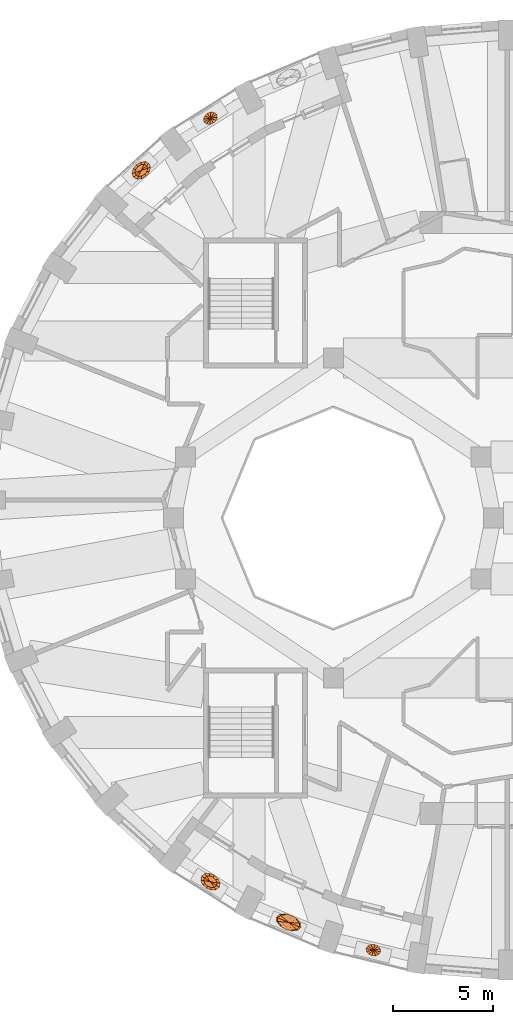
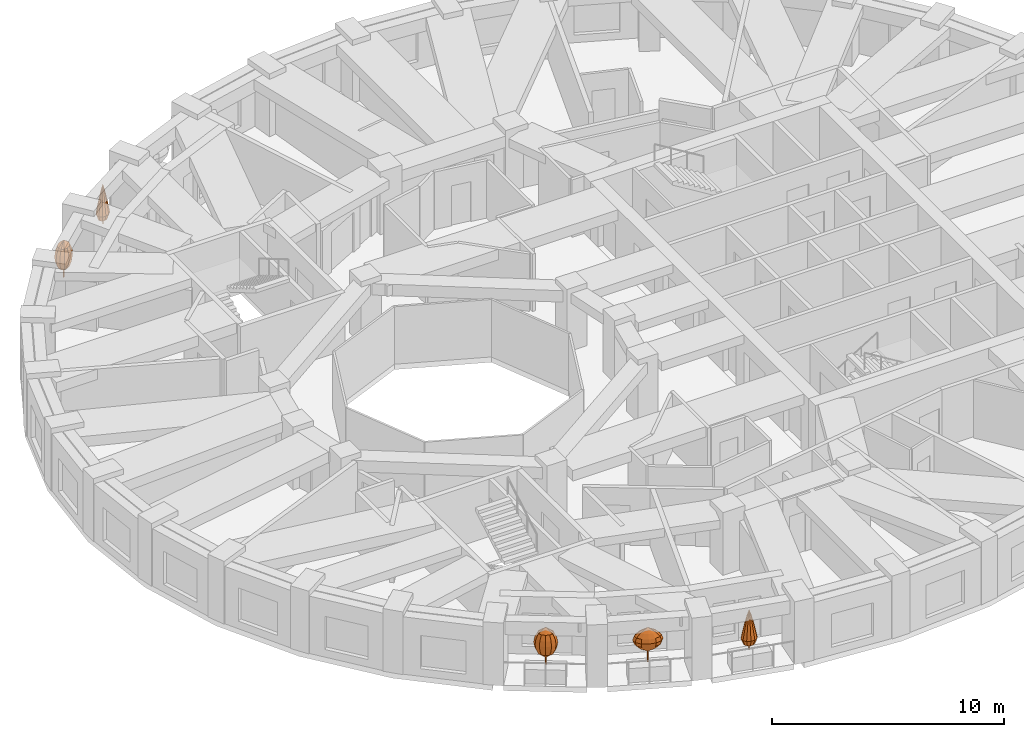
# One storey, part 11 of 12: 5 geographic elements.
"""IFC4 building model written with IfcOpenShell, lengths in metres."""

import ifcopenshell
import ifcopenshell.guid

model = None  # the IFC model being written
_history = None  # IfcOwnerHistory: only IFC2X3 demands one
_inside = {}  # id of a spatial element -> (the spatial element, [elements in it])
_under = {}  # id of a project, library or spatial element -> (it, [spatial elements below it])
_declared = {}  # id of a project -> (the project, [libraries it declares])
_typed = {}  # id of a type object -> (the type object, [elements of that type])
_made_of = {}  # id of a material, layer set ... -> (it, [elements and type objects made of it])


def new_model(schema):
    """Start an empty IFC model of exactly this schema.

    Asked for "IFC4X3", IfcOpenShell would pick the latest addendum, in which some entities
    have other attributes; the version numbers below select the first issue.
    IFC2X3 requires an IfcOwnerHistory on every rooted entity: one is made here for all.
    """
    global model, _history
    if schema == "IFC4X3":
        model = ifcopenshell.file(schema_version=(4, 3, 0, 0))
    else:
        model = ifcopenshell.file(schema=schema)
    _inside.clear()
    _under.clear()
    _declared.clear()
    _typed.clear()
    _made_of.clear()
    _history = None
    if model.schema == "IFC2X3":
        org = make("IfcOrganization", Name="unknown")
        user = make(
            "IfcPersonAndOrganization",
            ThePerson=make("IfcPerson", FamilyName="unknown"),
            TheOrganization=org,
        )
        app = make(
            "IfcApplication",
            ApplicationDeveloper=org,
            Version="unknown",
            ApplicationFullName="unknown",
            ApplicationIdentifier="unknown",
        )
        _history = make(
            "IfcOwnerHistory",
            OwningUser=user,
            OwningApplication=app,
            ChangeAction="ADDED",
            CreationDate=0,
        )
    return model


def make(cls, **values):
    """One entity of the class cls with the attributes given. An attribute that is None is left unset."""
    return model.create_entity(
        cls, **{name: value for name, value in values.items() if value is not None}
    )


def rooted(cls, **values):
    """An entity with a GlobalId (a new one), such as an element, a storey or a relation."""
    return make(cls, GlobalId=ifcopenshell.guid.new(), OwnerHistory=_history, **values)


def si_unit(unit_type, name, prefix=None):
    """IfcSIUnit, for example si_unit("LENGTHUNIT", "METRE", prefix="MILLI")."""
    return make("IfcSIUnit", UnitType=unit_type, Prefix=prefix, Name=name)


def assignment(units):
    """IfcUnitAssignment: the units of a project."""
    return None if units is None else make("IfcUnitAssignment", Units=units)


def point(xyz):
    """IfcCartesianPoint."""
    return None if xyz is None else make("IfcCartesianPoint", Coordinates=xyz)


def direction(xyz):
    """IfcDirection."""
    return None if xyz is None else make("IfcDirection", DirectionRatios=xyz)


def frame(location, z_axis=None, x_axis=None):
    """IfcAxis2Placement3D, a coordinate frame: its origin and axes. An axis left out is left unset."""
    return make(
        "IfcAxis2Placement3D",
        Location=point(location),
        Axis=direction(z_axis),
        RefDirection=direction(x_axis),
    )


def origin():
    """The frame at (0, 0, 0) with its axes left unset."""
    return frame((0.0, 0.0, 0.0))


def place(relative_to, where):
    """IfcLocalPlacement: puts the frame where relative to a parent placement (None: the world)."""
    return make(
        "IfcLocalPlacement", PlacementRelTo=relative_to, RelativePlacement=where
    )


def context(
    kind, dimensions, precision=None, world=None, true_north=None, identifier=None
):
    """IfcGeometricRepresentationContext, for example the 3D "Model" context."""
    return make(
        "IfcGeometricRepresentationContext",
        ContextIdentifier=identifier,
        ContextType=kind,
        CoordinateSpaceDimension=dimensions,
        Precision=precision,
        WorldCoordinateSystem=world,
        TrueNorth=true_north,
    )


def subcontext(parent, identifier, kind, view, scale=None):
    """IfcGeometricRepresentationSubContext, for example "Body" below "Model"."""
    return make(
        "IfcGeometricRepresentationSubContext",
        ContextIdentifier=identifier,
        ContextType=kind,
        ParentContext=parent,
        TargetScale=scale,
        TargetView=view,
    )


def project(units=None, contexts=None):
    """IfcProject with its units and contexts."""
    return rooted(
        "IfcProject",
        Name="project",
        RepresentationContexts=contexts,
        UnitsInContext=assignment(units),
    )


def spatial(cls, under=None, at=None, **own):
    """A site, building, storey or space (cls), placed at a placement, below another one or the project."""
    s = rooted(cls, ObjectPlacement=at, **own)
    if under is not None:
        _under.setdefault(under.id(), (under, []))[1].append(s)
    return s


def faces_of(points, faces, orient=None, outer=None):
    """IfcFace entities. A face is a list of loops; a loop is a list of indices into points, from 0.

    orient and outer hold one flag for each loop. By default every Orientation is true, the
    first loop of a face is its IfcFaceOuterBound and the others are IfcFaceBound.
    """
    made = []
    for i, loops in enumerate(faces):
        bounds = []
        for j, loop in enumerate(loops):
            is_outer = j == 0 if outer is None else outer[i][j]
            bounds.append(
                make(
                    "IfcFaceOuterBound" if is_outer else "IfcFaceBound",
                    Bound=make("IfcPolyLoop", Polygon=[points[k] for k in loop]),
                    Orientation=True if orient is None else orient[i][j],
                )
            )
        made.append(make("IfcFace", Bounds=bounds))
    return made


def faceted_brep(points, faces, orient=None, outer=None, voids=None):
    """IfcFacetedBrep: a solid bounded by flat faces; with voids (closed shells), ...WithVoids."""
    shared = [point(p) for p in points]
    hull = make("IfcClosedShell", CfsFaces=faces_of(shared, faces, orient, outer))
    if voids is None:
        return make("IfcFacetedBrep", Outer=hull)
    return make(
        "IfcFacetedBrepWithVoids",
        Outer=hull,
        Voids=[
            make(cls, CfsFaces=faces_of(shared, fs, o, b)) for cls, fs, o, b in voids
        ],
    )


def shape(context_of_items, identifier, shape_type, items):
    """IfcShapeRepresentation: the items that make up one representation, for example the "Body"."""
    return make(
        "IfcShapeRepresentation",
        ContextOfItems=context_of_items,
        RepresentationIdentifier=identifier,
        RepresentationType=shape_type,
        Items=items,
    )


def material(Name=None, Category=None):
    """IfcMaterial."""
    return make("IfcMaterial", Name=Name, Category=Category)


def constituent(of_material, Name=None, Category=None, fraction=None):
    """IfcMaterialConstituent: one of the materials an element consists of."""
    return make(
        "IfcMaterialConstituent",
        Name=Name,
        Material=of_material,
        Fraction=fraction,
        Category=Category,
    )


def constituent_set(constituents=None, Name=None):
    """IfcMaterialConstituentSet."""
    return make(
        "IfcMaterialConstituentSet", Name=Name, MaterialConstituents=constituents
    )


def made_of(thing, what):
    """Note that an element or type object is made of a material, layer set ...; save() writes the relation."""
    if what is not None:
        _made_of.setdefault(what.id(), (what, []))[1].append(thing)
    return thing


def type_object(cls, material=None, **own):
    """A type object (cls), such as IfcWallType, which elements share."""
    return made_of(rooted(cls, **own), material)


def element(
    cls,
    number,
    at=None,
    inside=None,
    cuts=None,
    type_object=None,
    material=None,
    context=None,
    identifier="Body",
    shape_type=None,
    held_by="IfcProductDefinitionShape",
    body=None,
    shapes=None,
    **own,
):
    """One element of the class cls, such as IfcWall. Its Tag is "e" and its number.

    at: its placement. inside: the storey or other place that contains it. cuts: it is an
    opening in that element (IfcRelVoidsElement). A single representation is given by context,
    identifier, shape_type and body (its items); several are given by shapes. held_by: the class
    of the entity that holds the representations. save() writes the other relations.
    """
    e = rooted(cls, Tag="e%d" % number, ObjectPlacement=at, **own)
    if body is not None:
        shapes = [shape(context, identifier, shape_type, body)]
    if shapes is not None:
        e.Representation = make(held_by, Representations=shapes)
    if inside is not None:
        _inside.setdefault(inside.id(), (inside, []))[1].append(e)
    if cuts is not None:
        rooted(
            "IfcRelVoidsElement", RelatingBuildingElement=cuts, RelatedOpeningElement=e
        )
    if type_object is not None:
        _typed.setdefault(type_object.id(), (type_object, []))[1].append(e)
    return made_of(e, material)


def aggregate(whole, parts):
    """IfcRelAggregates: a whole, such as a stair, and the parts it consists of."""
    return rooted("IfcRelAggregates", RelatingObject=whole, RelatedObjects=parts)


def save(model, path):
    """Write the relations noted so far, then the file.

    IfcRelAggregates (storeys below a building ...), IfcRelContainedInSpatialStructure (elements
    in a storey), IfcRelDefinesByType, IfcRelAssociatesMaterial and IfcRelDeclares: one each for
    every whole, place, type object, material and project.
    """
    for whole, parts in _under.values():
        aggregate(whole, parts)
    for where, things in _inside.values():
        rooted(
            "IfcRelContainedInSpatialStructure",
            RelatedElements=things,
            RelatingStructure=where,
        )
    for kind, things in _typed.values():
        rooted("IfcRelDefinesByType", RelatedObjects=things, RelatingType=kind)
    for what, things in _made_of.values():
        rooted("IfcRelAssociatesMaterial", RelatedObjects=things, RelatingMaterial=what)
    for by, libraries in _declared.values():
        rooted("IfcRelDeclares", RelatingContext=by, RelatedDefinitions=libraries)
    model.write(path)


model = new_model("IFC4")

# Units and contexts
model_context = context("Model", 3, precision=1e-05, world=origin(), true_north=direction((0.0, 1.0)))
body_context = subcontext(model_context, "Body", "Model", "MODEL_VIEW")
ifc_project = project(units=[si_unit("LENGTHUNIT", "METRE"), si_unit("AREAUNIT", "SQUARE_METRE"), si_unit("VOLUMEUNIT", "CUBIC_METRE"), si_unit("PLANEANGLEUNIT", "RADIAN"), si_unit("MASSUNIT", "GRAM", prefix="KILO")], contexts=[model_context])

# Site, building, storey
site_placement = place(None, origin())
site = spatial("IfcSite", under=ifc_project, at=site_placement, CompositionType="ELEMENT")
building_placement = place(site_placement, origin())
building = spatial("IfcBuilding", under=site, at=building_placement, Name="Taillehof Tower", CompositionType="ELEMENT")
storey_placement = place(building_placement, frame((0.0, 0.0, 212.300048828125)))
storey = spatial("IfcBuildingStorey", under=building, at=storey_placement, Name="L60", CompositionType="ELEMENT", Elevation=212.300048828125)

# Geographic elements
ifc_material_1 = material(Name="Tree bark", Category="timber")
ifc_constituent_1 = constituent(ifc_material_1, Name="Trunk", Category="timber")
ifc_material_2 = material(Name="Tree foliage")
ifc_constituent_2 = constituent(ifc_material_2, Name="Crown")
ifc_constituent_set_1 = constituent_set(constituents=[ifc_constituent_1, ifc_constituent_2], Name="Tree TR2 Fastigiate yew")
geographic_element_type_1 = type_object("IfcGeographicElementType", Name="Tree TR2 Fastigiate yew", PredefinedType="USERDEFINED", material=ifc_constituent_set_1)
geographic_element_1_placement = place(storey_placement, frame((-14.14501953125, -18.188232421875, 0.75)))
element("IfcGeographicElement", 1, at=geographic_element_1_placement, inside=storey, type_object=geographic_element_type_1, Name="Tree TR2 Fastigiate yew", ObjectType="TREE", PredefinedType="USERDEFINED", context=body_context, shape_type="Brep", body=[
    faceted_brep([(0.034912109375, 0.0, 0.0), (0.024658203125, 0.024658203125, 0.0), (0.024658203125, 0.024658203125, 0.909912109375), (0.034912109375, 0.0, 0.909912109375), (0.0, 0.034912109375, 0.0), (0.0, 0.034912109375, 0.909912109375), (-0.024658203125, 0.024658203125, 0.0), (-0.024658203125, 0.024658203125, 0.909912109375), (-0.034912109375, 0.0, 0.0), (-0.034912109375, 0.0, 0.909912109375), (-0.024658203125, -0.024658203125, 0.0), (-0.024658203125, -0.024658203125, 0.909912109375), (0.0, -0.034912109375, 0.0), (0.0, -0.034912109375, 0.909912109375), (0.024658203125, -0.024658203125, 0.0), (0.024658203125, -0.024658203125, 0.909912109375)], [[[0, 1, 2, 3]], [[1, 4, 5, 2]], [[4, 6, 7, 5]], [[6, 8, 9, 7]], [[8, 10, 11, 9]], [[10, 12, 13, 11]], [[12, 14, 15, 13]], [[14, 0, 3, 15]], [[14, 12, 10, 8, 6, 4, 1, 0]], [[3, 2, 5, 7, 9, 11, 13, 15]]]),
    faceted_brep([(0.0, 0.0, 0.35009765625), (0.33056640625, -0.054931640625, 0.61669921875), (0.302001953125, -0.190185546875, 0.61669921875), (0.270751953125, 0.09521484375, 0.61669921875), (0.138427734375, 0.2197265625, 0.61669921875), (-0.03125, 0.285400390625, 0.61669921875), (-0.1923828125, 0.2744140625, 0.61669921875), (-0.302001953125, 0.190185546875, 0.61669921875), (-0.33056640625, 0.054931640625, 0.61669921875), (-0.270751953125, -0.09521484375, 0.61669921875), (-0.138427734375, -0.2197265625, 0.61669921875), (0.03125, -0.285400390625, 0.61669921875), (0.1923828125, -0.2744140625, 0.61669921875), (0.447265625, -0.07421875, 0.88330078125), (0.408447265625, -0.25732421875, 0.88330078125), (0.3662109375, 0.128662109375, 0.88330078125), (0.18701171875, 0.297119140625, 0.88330078125), (-0.042236328125, 0.385986328125, 0.88330078125), (-0.26025390625, 0.371337890625, 0.88330078125), (-0.408447265625, 0.25732421875, 0.88330078125), (-0.447265625, 0.07421875, 0.88330078125), (-0.3662109375, -0.128662109375, 0.88330078125), (-0.18701171875, -0.297119140625, 0.88330078125), (0.042236328125, -0.385986328125, 0.88330078125), (0.26025390625, -0.371337890625, 0.88330078125), (0.484130859375, -0.080322265625, 1.14990234375), (0.442138671875, -0.278564453125, 1.14990234375), (0.396484375, 0.13916015625, 1.14990234375), (0.20263671875, 0.321533203125, 1.14990234375), (-0.045654296875, 0.417724609375, 1.14990234375), (-0.28173828125, 0.40185546875, 1.14990234375), (-0.442138671875, 0.278564453125, 1.14990234375), (-0.484130859375, 0.080322265625, 1.14990234375), (-0.396484375, -0.13916015625, 1.14990234375), (-0.20263671875, -0.321533203125, 1.14990234375), (0.045654296875, -0.417724609375, 1.14990234375), (0.28173828125, -0.40185546875, 1.14990234375), (0.447265625, -0.07421875, 1.416748046875), (0.408447265625, -0.25732421875, 1.416748046875), (0.3662109375, 0.128662109375, 1.416748046875), (0.18701171875, 0.297119140625, 1.416748046875), (-0.042236328125, 0.385986328125, 1.416748046875), (-0.26025390625, 0.371337890625, 1.416748046875), (-0.408447265625, 0.25732421875, 1.416748046875), (-0.447265625, 0.07421875, 1.416748046875), (-0.3662109375, -0.128662109375, 1.416748046875), (-0.18701171875, -0.297119140625, 1.416748046875), (0.042236328125, -0.385986328125, 1.416748046875), (0.26025390625, -0.371337890625, 1.416748046875), (0.33056640625, -0.054931640625, 1.683349609375), (0.302001953125, -0.190185546875, 1.683349609375), (0.270751953125, 0.09521484375, 1.683349609375), (0.138427734375, 0.2197265625, 1.683349609375), (-0.03125, 0.285400390625, 1.683349609375), (-0.1923828125, 0.2744140625, 1.683349609375), (-0.302001953125, 0.190185546875, 1.683349609375), (-0.33056640625, 0.054931640625, 1.683349609375), (-0.270751953125, -0.09521484375, 1.683349609375), (-0.138427734375, -0.2197265625, 1.683349609375), (0.03125, -0.285400390625, 1.683349609375), (0.1923828125, -0.2744140625, 1.683349609375), (0.0, 0.0, 1.949951171875)], [[[0, 1, 2]], [[0, 3, 1]], [[0, 4, 3]], [[0, 5, 4]], [[0, 6, 5]], [[0, 7, 6]], [[0, 8, 7]], [[0, 9, 8]], [[0, 10, 9]], [[0, 11, 10]], [[0, 12, 11]], [[0, 2, 12]], [[2, 1, 13, 14]], [[1, 3, 15, 13]], [[3, 4, 16, 15]], [[4, 5, 17, 16]], [[5, 6, 18, 17]], [[6, 7, 19, 18]], [[7, 8, 20, 19]], [[8, 9, 21, 20]], [[9, 10, 22, 21]], [[10, 11, 23, 22]], [[11, 12, 24, 23]], [[12, 2, 14, 24]], [[14, 13, 25, 26]], [[13, 15, 27, 25]], [[15, 16, 28, 27]], [[16, 17, 29, 28]], [[17, 18, 30, 29]], [[18, 19, 31, 30]], [[19, 20, 32, 31]], [[20, 21, 33, 32]], [[21, 22, 34, 33]], [[22, 23, 35, 34]], [[23, 24, 36, 35]], [[24, 14, 26, 36]], [[26, 25, 37, 38]], [[25, 27, 39, 37]], [[27, 28, 40, 39]], [[28, 29, 41, 40]], [[29, 30, 42, 41]], [[30, 31, 43, 42]], [[31, 32, 44, 43]], [[32, 33, 45, 44]], [[33, 34, 46, 45]], [[34, 35, 47, 46]], [[35, 36, 48, 47]], [[36, 26, 38, 48]], [[38, 37, 49, 50]], [[37, 39, 51, 49]], [[39, 40, 52, 51]], [[40, 41, 53, 52]], [[41, 42, 54, 53]], [[42, 43, 55, 54]], [[43, 44, 56, 55]], [[44, 45, 57, 56]], [[45, 46, 58, 57]], [[46, 47, 59, 58]], [[47, 48, 60, 59]], [[48, 38, 50, 60]], [[50, 49, 61]], [[49, 51, 61]], [[51, 52, 61]], [[52, 53, 61]], [[53, 54, 61]], [[54, 55, 61]], [[55, 56, 61]], [[56, 57, 61]], [[57, 58, 61]], [[58, 59, 61]], [[59, 60, 61]], [[60, 50, 61]]]),
])
geographic_element_2_placement = place(storey_placement, frame((-17.60205078125, 17.378662109375, 0.75)))
element("IfcGeographicElement", 2, at=geographic_element_2_placement, inside=storey, type_object=geographic_element_type_1, Name="Tree TR2 Fastigiate yew", ObjectType="TREE", PredefinedType="USERDEFINED", context=body_context, shape_type="Brep", body=[
    faceted_brep([(0.034912109375, 0.0, 0.0), (0.024658203125, 0.024658203125, 0.0), (0.024658203125, 0.024658203125, 0.909912109375), (0.034912109375, 0.0, 0.909912109375), (0.0, 0.034912109375, 0.0), (0.0, 0.034912109375, 0.909912109375), (-0.024658203125, 0.024658203125, 0.0), (-0.024658203125, 0.024658203125, 0.909912109375), (-0.034912109375, 0.0, 0.0), (-0.034912109375, 0.0, 0.909912109375), (-0.024658203125, -0.024658203125, 0.0), (-0.024658203125, -0.024658203125, 0.909912109375), (0.0, -0.034912109375, 0.0), (0.0, -0.034912109375, 0.909912109375), (0.024658203125, -0.024658203125, 0.0), (0.024658203125, -0.024658203125, 0.909912109375)], [[[0, 1, 2, 3]], [[1, 4, 5, 2]], [[4, 6, 7, 5]], [[6, 8, 9, 7]], [[8, 10, 11, 9]], [[10, 12, 13, 11]], [[12, 14, 15, 13]], [[14, 0, 3, 15]], [[14, 12, 10, 8, 6, 4, 1, 0]], [[3, 2, 5, 7, 9, 11, 13, 15]]]),
    faceted_brep([(0.0, 0.0, 0.35009765625), (-0.14306640625, -0.30322265625, 0.61669921875), (-0.265380859375, -0.23876953125, 0.61669921875), (0.017578125, -0.286376953125, 0.61669921875), (0.173583984375, -0.19287109375, 0.61669921875), (0.282958984375, -0.0478515625, 0.61669921875), (0.316650390625, 0.110107421875, 0.61669921875), (0.265380859375, 0.23876953125, 0.61669921875), (0.14306640625, 0.30322265625, 0.61669921875), (-0.017578125, 0.286376953125, 0.61669921875), (-0.173583984375, 0.19287109375, 0.61669921875), (-0.282958984375, 0.0478515625, 0.61669921875), (-0.316650390625, -0.110107421875, 0.61669921875), (-0.193359375, -0.41015625, 0.88330078125), (-0.35888671875, -0.32275390625, 0.88330078125), (0.02392578125, -0.387451171875, 0.88330078125), (0.23486328125, -0.260986328125, 0.88330078125), (0.3828125, -0.064697265625, 0.88330078125), (0.42822265625, 0.149169921875, 0.88330078125), (0.35888671875, 0.32275390625, 0.88330078125), (0.193359375, 0.41015625, 0.88330078125), (-0.02392578125, 0.387451171875, 0.88330078125), (-0.23486328125, 0.260986328125, 0.88330078125), (-0.3828125, 0.064697265625, 0.88330078125), (-0.42822265625, -0.149169921875, 0.88330078125), (-0.209228515625, -0.44384765625, 1.14990234375), (-0.388427734375, -0.349365234375, 1.14990234375), (0.02587890625, -0.41943359375, 1.14990234375), (0.254150390625, -0.282470703125, 1.14990234375), (0.414306640625, -0.06982421875, 1.14990234375), (0.46337890625, 0.161376953125, 1.14990234375), (0.388427734375, 0.349365234375, 1.14990234375), (0.209228515625, 0.44384765625, 1.14990234375), (-0.02587890625, 0.41943359375, 1.14990234375), (-0.254150390625, 0.282470703125, 1.14990234375), (-0.414306640625, 0.06982421875, 1.14990234375), (-0.46337890625, -0.161376953125, 1.14990234375), (-0.193359375, -0.41015625, 1.416748046875), (-0.35888671875, -0.32275390625, 1.416748046875), (0.02392578125, -0.387451171875, 1.416748046875), (0.23486328125, -0.260986328125, 1.416748046875), (0.3828125, -0.064697265625, 1.416748046875), (0.42822265625, 0.149169921875, 1.416748046875), (0.35888671875, 0.32275390625, 1.416748046875), (0.193359375, 0.41015625, 1.416748046875), (-0.02392578125, 0.387451171875, 1.416748046875), (-0.23486328125, 0.260986328125, 1.416748046875), (-0.3828125, 0.064697265625, 1.416748046875), (-0.42822265625, -0.149169921875, 1.416748046875), (-0.14306640625, -0.30322265625, 1.683349609375), (-0.265380859375, -0.23876953125, 1.683349609375), (0.017578125, -0.286376953125, 1.683349609375), (0.173583984375, -0.19287109375, 1.683349609375), (0.282958984375, -0.0478515625, 1.683349609375), (0.316650390625, 0.110107421875, 1.683349609375), (0.265380859375, 0.23876953125, 1.683349609375), (0.14306640625, 0.30322265625, 1.683349609375), (-0.017578125, 0.286376953125, 1.683349609375), (-0.173583984375, 0.19287109375, 1.683349609375), (-0.282958984375, 0.0478515625, 1.683349609375), (-0.316650390625, -0.110107421875, 1.683349609375), (0.0, 0.0, 1.949951171875)], [[[0, 1, 2]], [[0, 3, 1]], [[0, 4, 3]], [[0, 5, 4]], [[0, 6, 5]], [[0, 7, 6]], [[0, 8, 7]], [[0, 9, 8]], [[0, 10, 9]], [[0, 11, 10]], [[0, 12, 11]], [[0, 2, 12]], [[2, 1, 13, 14]], [[1, 3, 15, 13]], [[3, 4, 16, 15]], [[4, 5, 17, 16]], [[5, 6, 18, 17]], [[6, 7, 19, 18]], [[7, 8, 20, 19]], [[8, 9, 21, 20]], [[9, 10, 22, 21]], [[10, 11, 23, 22]], [[11, 12, 24, 23]], [[12, 2, 14, 24]], [[14, 13, 25, 26]], [[13, 15, 27, 25]], [[15, 16, 28, 27]], [[16, 17, 29, 28]], [[17, 18, 30, 29]], [[18, 19, 31, 30]], [[19, 20, 32, 31]], [[20, 21, 33, 32]], [[21, 22, 34, 33]], [[22, 23, 35, 34]], [[23, 24, 36, 35]], [[24, 14, 26, 36]], [[26, 25, 37, 38]], [[25, 27, 39, 37]], [[27, 28, 40, 39]], [[28, 29, 41, 40]], [[29, 30, 42, 41]], [[30, 31, 43, 42]], [[31, 32, 44, 43]], [[32, 33, 45, 44]], [[33, 34, 46, 45]], [[34, 35, 47, 46]], [[35, 36, 48, 47]], [[36, 26, 38, 48]], [[38, 37, 49, 50]], [[37, 39, 51, 49]], [[39, 40, 52, 51]], [[40, 41, 53, 52]], [[41, 42, 54, 53]], [[42, 43, 55, 54]], [[43, 44, 56, 55]], [[44, 45, 57, 56]], [[45, 46, 58, 57]], [[46, 47, 59, 58]], [[47, 48, 60, 59]], [[48, 38, 50, 60]], [[50, 49, 61]], [[49, 51, 61]], [[51, 52, 61]], [[52, 53, 61]], [[53, 54, 61]], [[54, 55, 61]], [[55, 56, 61]], [[56, 57, 61]], [[57, 58, 61]], [[58, 59, 61]], [[59, 60, 61]], [[60, 50, 61]]]),
])
ifc_material_3 = material(Name="Tree bark", Category="timber")
ifc_constituent_3 = constituent(ifc_material_3, Name="Trunk", Category="timber")
ifc_material_4 = material(Name="Tree foliage")
ifc_constituent_4 = constituent(ifc_material_4, Name="Crown")
ifc_constituent_set_2 = constituent_set(constituents=[ifc_constituent_3, ifc_constituent_4], Name="Tree TR4 Sea buckthorn standard")
geographic_element_type_2 = type_object("IfcGeographicElementType", Name="Tree TR4 Sea buckthorn standard", PredefinedType="USERDEFINED", material=ifc_constituent_set_2)
geographic_element_3_placement = place(storey_placement, frame((-10.2373046875, -20.218017578125, 0.75)))
element("IfcGeographicElement", 3, at=geographic_element_3_placement, inside=storey, type_object=geographic_element_type_2, Name="Tree TR4 Sea buckthorn standard", ObjectType="TREE", PredefinedType="USERDEFINED", context=body_context, shape_type="Brep", body=[
    faceted_brep([(0.030029296875, 0.0, 0.0), (0.021240234375, 0.021240234375, 0.0), (0.021240234375, 0.021240234375, 0.98095703125), (0.030029296875, 0.0, 0.98095703125), (0.0, 0.030029296875, 0.0), (0.0, 0.030029296875, 0.98095703125), (-0.021240234375, 0.021240234375, 0.0), (-0.021240234375, 0.021240234375, 0.98095703125), (-0.030029296875, 0.0, 0.0), (-0.030029296875, 0.0, 0.98095703125), (-0.021240234375, -0.021240234375, 0.0), (-0.021240234375, -0.021240234375, 0.98095703125), (0.0, -0.030029296875, 0.0), (0.0, -0.030029296875, 0.98095703125), (0.021240234375, -0.021240234375, 0.0), (0.021240234375, -0.021240234375, 0.98095703125)], [[[0, 1, 2, 3]], [[1, 4, 5, 2]], [[4, 6, 7, 5]], [[6, 8, 9, 7]], [[8, 10, 11, 9]], [[10, 12, 13, 11]], [[12, 14, 15, 13]], [[14, 0, 3, 15]], [[14, 12, 10, 8, 6, 4, 1, 0]], [[3, 2, 5, 7, 9, 11, 13, 15]]]),
    faceted_brep([(0.0, 0.0, 0.5400390625), (0.34716796875, -0.02734375, 0.75), (0.352294921875, -0.147705078125, 0.75), (0.249267578125, 0.100341796875, 0.75), (0.08447265625, 0.201171875, 0.75), (-0.10302734375, 0.248046875, 0.75), (-0.2626953125, 0.228515625, 0.75), (-0.352294921875, 0.147705078125, 0.75), (-0.34716796875, 0.02734375, 0.75), (-0.249267578125, -0.100341796875, 0.75), (-0.08447265625, -0.201171875, 0.75), (0.10302734375, -0.248046875, 0.75), (0.2626953125, -0.228515625, 0.75), (0.538818359375, -0.04248046875, 0.9599609375), (0.546630859375, -0.229248046875, 0.9599609375), (0.38671875, 0.15576171875, 0.9599609375), (0.131103515625, 0.312255859375, 0.9599609375), (-0.159912109375, 0.385009765625, 0.9599609375), (-0.407958984375, 0.354736328125, 0.9599609375), (-0.546630859375, 0.229248046875, 0.9599609375), (-0.538818359375, 0.04248046875, 0.9599609375), (-0.38671875, -0.15576171875, 0.9599609375), (-0.131103515625, -0.312255859375, 0.9599609375), (0.159912109375, -0.385009765625, 0.9599609375), (0.407958984375, -0.354736328125, 0.9599609375), (0.6044921875, -0.047607421875, 1.169921875), (0.61328125, -0.25732421875, 1.169921875), (0.433837890625, 0.1748046875, 1.169921875), (0.14697265625, 0.350341796875, 1.169921875), (-0.179443359375, 0.43212890625, 1.169921875), (-0.45751953125, 0.39794921875, 1.169921875), (-0.61328125, 0.25732421875, 1.169921875), (-0.6044921875, 0.047607421875, 1.169921875), (-0.433837890625, -0.1748046875, 1.169921875), (-0.14697265625, -0.350341796875, 1.169921875), (0.179443359375, -0.43212890625, 1.169921875), (0.45751953125, -0.39794921875, 1.169921875), (0.538818359375, -0.04248046875, 1.3798828125), (0.546630859375, -0.229248046875, 1.3798828125), (0.38671875, 0.15576171875, 1.3798828125), (0.131103515625, 0.312255859375, 1.3798828125), (-0.159912109375, 0.385009765625, 1.3798828125), (-0.407958984375, 0.354736328125, 1.3798828125), (-0.546630859375, 0.229248046875, 1.3798828125), (-0.538818359375, 0.04248046875, 1.3798828125), (-0.38671875, -0.15576171875, 1.3798828125), (-0.131103515625, -0.312255859375, 1.3798828125), (0.159912109375, -0.385009765625, 1.3798828125), (0.407958984375, -0.354736328125, 1.3798828125), (0.34716796875, -0.02734375, 1.590087890625), (0.352294921875, -0.147705078125, 1.590087890625), (0.249267578125, 0.100341796875, 1.590087890625), (0.08447265625, 0.201171875, 1.590087890625), (-0.10302734375, 0.248046875, 1.590087890625), (-0.2626953125, 0.228515625, 1.590087890625), (-0.352294921875, 0.147705078125, 1.590087890625), (-0.34716796875, 0.02734375, 1.590087890625), (-0.249267578125, -0.100341796875, 1.590087890625), (-0.08447265625, -0.201171875, 1.590087890625), (0.10302734375, -0.248046875, 1.590087890625), (0.2626953125, -0.228515625, 1.590087890625), (0.0, 0.0, 1.800048828125)], [[[0, 1, 2]], [[0, 3, 1]], [[0, 4, 3]], [[0, 5, 4]], [[0, 6, 5]], [[0, 7, 6]], [[0, 8, 7]], [[0, 9, 8]], [[0, 10, 9]], [[0, 11, 10]], [[0, 12, 11]], [[0, 2, 12]], [[2, 1, 13, 14]], [[1, 3, 15, 13]], [[3, 4, 16, 15]], [[4, 5, 17, 16]], [[5, 6, 18, 17]], [[6, 7, 19, 18]], [[7, 8, 20, 19]], [[8, 9, 21, 20]], [[9, 10, 22, 21]], [[10, 11, 23, 22]], [[11, 12, 24, 23]], [[12, 2, 14, 24]], [[14, 13, 25, 26]], [[13, 15, 27, 25]], [[15, 16, 28, 27]], [[16, 17, 29, 28]], [[17, 18, 30, 29]], [[18, 19, 31, 30]], [[19, 20, 32, 31]], [[20, 21, 33, 32]], [[21, 22, 34, 33]], [[22, 23, 35, 34]], [[23, 24, 36, 35]], [[24, 14, 26, 36]], [[26, 25, 37, 38]], [[25, 27, 39, 37]], [[27, 28, 40, 39]], [[28, 29, 41, 40]], [[29, 30, 42, 41]], [[30, 31, 43, 42]], [[31, 32, 44, 43]], [[32, 33, 45, 44]], [[33, 34, 46, 45]], [[34, 35, 47, 46]], [[35, 36, 48, 47]], [[36, 26, 38, 48]], [[38, 37, 49, 50]], [[37, 39, 51, 49]], [[39, 40, 52, 51]], [[40, 41, 53, 52]], [[41, 42, 54, 53]], [[42, 43, 55, 54]], [[43, 44, 56, 55]], [[44, 45, 57, 56]], [[45, 46, 58, 57]], [[46, 47, 59, 58]], [[47, 48, 60, 59]], [[48, 38, 50, 60]], [[50, 49, 61]], [[49, 51, 61]], [[51, 52, 61]], [[52, 53, 61]], [[53, 54, 61]], [[54, 55, 61]], [[55, 56, 61]], [[56, 57, 61]], [[57, 58, 61]], [[58, 59, 61]], [[59, 60, 61]], [[60, 50, 61]]]),
])
ifc_material_5 = material(Name="Tree bark", Category="timber")
ifc_constituent_5 = constituent(ifc_material_5, Name="Trunk", Category="timber")
ifc_material_6 = material(Name="Tree foliage")
ifc_constituent_6 = constituent(ifc_material_6, Name="Crown")
ifc_constituent_set_3 = constituent_set(constituents=[ifc_constituent_5, ifc_constituent_6], Name="Tree TR5 Columnar juniper")
geographic_element_type_3 = type_object("IfcGeographicElementType", Name="Tree TR5 Columnar juniper", PredefinedType="USERDEFINED", material=ifc_constituent_set_3)
geographic_element_4_placement = place(storey_placement, frame((-5.997802734375, -21.60595703125, 0.75)))
element("IfcGeographicElement", 4, at=geographic_element_4_placement, inside=storey, type_object=geographic_element_type_3, Name="Tree TR5 Columnar juniper", ObjectType="TREE", PredefinedType="USERDEFINED", context=body_context, shape_type="Brep", body=[
    faceted_brep([(0.02490234375, 0.0, 0.0), (0.017578125, 0.017578125, 0.0), (0.017578125, 0.017578125, 0.929931640625), (0.02490234375, 0.0, 0.929931640625), (0.0, 0.02490234375, 0.0), (0.0, 0.02490234375, 0.929931640625), (-0.017578125, 0.017578125, 0.0), (-0.017578125, 0.017578125, 0.929931640625), (-0.02490234375, 0.0, 0.0), (-0.02490234375, 0.0, 0.929931640625), (-0.017578125, -0.017578125, 0.0), (-0.017578125, -0.017578125, 0.929931640625), (0.0, -0.02490234375, 0.0), (0.0, -0.02490234375, 0.929931640625), (0.017578125, -0.017578125, 0.0), (0.017578125, -0.017578125, 0.929931640625)], [[[0, 1, 2, 3]], [[1, 4, 5, 2]], [[4, 6, 7, 5]], [[6, 8, 9, 7]], [[8, 10, 11, 9]], [[10, 12, 13, 11]], [[12, 14, 15, 13]], [[14, 0, 3, 15]], [[14, 12, 10, 8, 6, 4, 1, 0]], [[3, 2, 5, 7, 9, 11, 13, 15]]]),
    faceted_brep([(0.24072265625, -0.05810546875, 0.300048828125), (0.23095703125, 0.04345703125, 0.300048828125), (0.3447265625, 0.064697265625, 0.60009765625), (0.359130859375, -0.086669921875, 0.60009765625), (0.159423828125, 0.133056640625, 0.300048828125), (0.23779296875, 0.19873046875, 0.60009765625), (0.045166015625, 0.187255859375, 0.300048828125), (0.0673828125, 0.279296875, 0.60009765625), (-0.081298828125, 0.191162109375, 0.300048828125), (-0.121337890625, 0.28515625, 0.60009765625), (-0.185791015625, 0.143798828125, 0.300048828125), (-0.27734375, 0.214599609375, 0.60009765625), (-0.24072265625, 0.05810546875, 0.300048828125), (-0.359130859375, 0.086669921875, 0.60009765625), (-0.23095703125, -0.04345703125, 0.300048828125), (-0.3447265625, -0.064697265625, 0.60009765625), (-0.159423828125, -0.133056640625, 0.300048828125), (-0.23779296875, -0.19873046875, 0.60009765625), (-0.045166015625, -0.187255859375, 0.300048828125), (-0.0673828125, -0.279296875, 0.60009765625), (0.081298828125, -0.191162109375, 0.300048828125), (0.121337890625, -0.28515625, 0.60009765625), (0.185791015625, -0.143798828125, 0.300048828125), (0.27734375, -0.214599609375, 0.60009765625), (0.288330078125, 0.05419921875, 0.89990234375), (0.300537109375, -0.072509765625, 0.89990234375), (0.198974609375, 0.166259765625, 0.89990234375), (0.056396484375, 0.233642578125, 0.89990234375), (-0.1015625, 0.238525390625, 0.89990234375), (-0.23193359375, 0.1796875, 0.89990234375), (-0.300537109375, 0.072509765625, 0.89990234375), (-0.288330078125, -0.05419921875, 0.89990234375), (-0.198974609375, -0.166259765625, 0.89990234375), (-0.056396484375, -0.233642578125, 0.89990234375), (0.1015625, -0.238525390625, 0.89990234375), (0.23193359375, -0.1796875, 0.89990234375), (0.22900390625, 0.04296875, 1.199951171875), (0.23876953125, -0.0576171875, 1.199951171875), (0.158203125, 0.132080078125, 1.199951171875), (0.044677734375, 0.185546875, 1.199951171875), (-0.08056640625, 0.189453125, 1.199951171875), (-0.184326171875, 0.142578125, 1.199951171875), (-0.23876953125, 0.0576171875, 1.199951171875), (-0.22900390625, -0.04296875, 1.199951171875), (-0.158203125, -0.132080078125, 1.199951171875), (-0.044677734375, -0.185546875, 1.199951171875), (0.08056640625, -0.189453125, 1.199951171875), (0.184326171875, -0.142578125, 1.199951171875), (0.16552734375, 0.031005859375, 1.5), (0.172607421875, -0.04150390625, 1.5), (0.1142578125, 0.095458984375, 1.5), (0.032470703125, 0.13427734375, 1.5), (-0.058349609375, 0.136962890625, 1.5), (-0.13330078125, 0.10302734375, 1.5), (-0.172607421875, 0.04150390625, 1.5), (-0.16552734375, -0.031005859375, 1.5), (-0.1142578125, -0.095458984375, 1.5), (-0.032470703125, -0.13427734375, 1.5), (0.058349609375, -0.136962890625, 1.5), (0.13330078125, -0.10302734375, 1.5), (0.09521484375, 0.017822265625, 1.800048828125), (0.09912109375, -0.02392578125, 1.800048828125), (0.065673828125, 0.054931640625, 1.800048828125), (0.0185546875, 0.0771484375, 1.800048828125), (-0.033447265625, 0.07861328125, 1.800048828125), (-0.07666015625, 0.059326171875, 1.800048828125), (-0.09912109375, 0.02392578125, 1.800048828125), (-0.09521484375, -0.017822265625, 1.800048828125), (-0.065673828125, -0.054931640625, 1.800048828125), (-0.0185546875, -0.0771484375, 1.800048828125), (0.033447265625, -0.07861328125, 1.800048828125), (0.07666015625, -0.059326171875, 1.800048828125), (0.0, 0.0, 2.10009765625)], [[[0, 1, 2, 3]], [[1, 4, 5, 2]], [[4, 6, 7, 5]], [[6, 8, 9, 7]], [[8, 10, 11, 9]], [[10, 12, 13, 11]], [[12, 14, 15, 13]], [[14, 16, 17, 15]], [[16, 18, 19, 17]], [[18, 20, 21, 19]], [[20, 22, 23, 21]], [[22, 0, 3, 23]], [[3, 2, 24, 25]], [[2, 5, 26, 24]], [[5, 7, 27, 26]], [[7, 9, 28, 27]], [[9, 11, 29, 28]], [[11, 13, 30, 29]], [[13, 15, 31, 30]], [[15, 17, 32, 31]], [[17, 19, 33, 32]], [[19, 21, 34, 33]], [[21, 23, 35, 34]], [[23, 3, 25, 35]], [[25, 24, 36, 37]], [[24, 26, 38, 36]], [[26, 27, 39, 38]], [[27, 28, 40, 39]], [[28, 29, 41, 40]], [[29, 30, 42, 41]], [[30, 31, 43, 42]], [[31, 32, 44, 43]], [[32, 33, 45, 44]], [[33, 34, 46, 45]], [[34, 35, 47, 46]], [[35, 25, 37, 47]], [[37, 36, 48, 49]], [[36, 38, 50, 48]], [[38, 39, 51, 50]], [[39, 40, 52, 51]], [[40, 41, 53, 52]], [[41, 42, 54, 53]], [[42, 43, 55, 54]], [[43, 44, 56, 55]], [[44, 45, 57, 56]], [[45, 46, 58, 57]], [[46, 47, 59, 58]], [[47, 37, 49, 59]], [[49, 48, 60, 61]], [[48, 50, 62, 60]], [[50, 51, 63, 62]], [[51, 52, 64, 63]], [[52, 53, 65, 64]], [[53, 54, 66, 65]], [[54, 55, 67, 66]], [[55, 56, 68, 67]], [[56, 57, 69, 68]], [[57, 58, 70, 69]], [[58, 59, 71, 70]], [[59, 49, 61, 71]], [[61, 60, 72]], [[60, 62, 72]], [[62, 63, 72]], [[63, 64, 72]], [[64, 65, 72]], [[65, 66, 72]], [[66, 67, 72]], [[67, 68, 72]], [[68, 69, 72]], [[69, 70, 72]], [[70, 71, 72]], [[71, 61, 72]], [[22, 20, 18, 16, 14, 12, 10, 8, 6, 4, 1, 0]]]),
])
geographic_element_5_placement = place(storey_placement, frame((-14.14501953125, 19.98828125, 0.75)))
element("IfcGeographicElement", 5, at=geographic_element_5_placement, inside=storey, type_object=geographic_element_type_3, Name="Tree TR5 Columnar juniper", ObjectType="TREE", PredefinedType="USERDEFINED", context=body_context, shape_type="Brep", body=[
    faceted_brep([(0.02490234375, 0.0, 0.0), (0.017578125, 0.017578125, 0.0), (0.017578125, 0.017578125, 0.929931640625), (0.02490234375, 0.0, 0.929931640625), (0.0, 0.02490234375, 0.0), (0.0, 0.02490234375, 0.929931640625), (-0.017578125, 0.017578125, 0.0), (-0.017578125, 0.017578125, 0.929931640625), (-0.02490234375, 0.0, 0.0), (-0.02490234375, 0.0, 0.929931640625), (-0.017578125, -0.017578125, 0.0), (-0.017578125, -0.017578125, 0.929931640625), (0.0, -0.02490234375, 0.0), (0.0, -0.02490234375, 0.929931640625), (0.017578125, -0.017578125, 0.0), (0.017578125, -0.017578125, 0.929931640625)], [[[0, 1, 2, 3]], [[1, 4, 5, 2]], [[4, 6, 7, 5]], [[6, 8, 9, 7]], [[8, 10, 11, 9]], [[10, 12, 13, 11]], [[12, 14, 15, 13]], [[14, 0, 3, 15]], [[14, 12, 10, 8, 6, 4, 1, 0]], [[3, 2, 5, 7, 9, 11, 13, 15]]]),
    faceted_brep([(-0.20947265625, -0.1318359375, 0.300048828125), (-0.130126953125, -0.195556640625, 0.300048828125), (-0.194091796875, -0.2919921875, 0.60009765625), (-0.312744140625, -0.197021484375, 0.60009765625), (-0.015869140625, -0.20703125, 0.300048828125), (-0.023681640625, -0.30908203125, 0.60009765625), (0.1025390625, -0.162841796875, 0.300048828125), (0.153076171875, -0.2431640625, 0.60009765625), (0.193603515625, -0.0751953125, 0.300048828125), (0.2890625, -0.112060546875, 0.60009765625), (0.232666015625, 0.03271484375, 0.300048828125), (0.347412109375, 0.049072265625, 0.60009765625), (0.20947265625, 0.1318359375, 0.300048828125), (0.312744140625, 0.197021484375, 0.60009765625), (0.130126953125, 0.195556640625, 0.300048828125), (0.194091796875, 0.2919921875, 0.60009765625), (0.015869140625, 0.20703125, 0.300048828125), (0.023681640625, 0.30908203125, 0.60009765625), (-0.1025390625, 0.162841796875, 0.300048828125), (-0.153076171875, 0.2431640625, 0.60009765625), (-0.193603515625, 0.0751953125, 0.300048828125), (-0.2890625, 0.112060546875, 0.60009765625), (-0.232666015625, -0.03271484375, 0.300048828125), (-0.347412109375, -0.049072265625, 0.60009765625), (-0.162353515625, -0.244384765625, 0.89990234375), (-0.261474609375, -0.164794921875, 0.89990234375), (-0.019775390625, -0.258544921875, 0.89990234375), (0.128173828125, -0.203369140625, 0.89990234375), (0.24169921875, -0.09375, 0.89990234375), (0.29052734375, 0.041015625, 0.89990234375), (0.261474609375, 0.164794921875, 0.89990234375), (0.162353515625, 0.244384765625, 0.89990234375), (0.019775390625, 0.258544921875, 0.89990234375), (-0.128173828125, 0.203369140625, 0.89990234375), (-0.24169921875, 0.09375, 0.89990234375), (-0.29052734375, -0.041015625, 0.89990234375), (-0.129150390625, -0.194091796875, 1.199951171875), (-0.207763671875, -0.130859375, 1.199951171875), (-0.015625, -0.205322265625, 1.199951171875), (0.101806640625, -0.16162109375, 1.199951171875), (0.192138671875, -0.074462890625, 1.199951171875), (0.230712890625, 0.032470703125, 1.199951171875), (0.207763671875, 0.130859375, 1.199951171875), (0.129150390625, 0.194091796875, 1.199951171875), (0.015625, 0.205322265625, 1.199951171875), (-0.101806640625, 0.16162109375, 1.199951171875), (-0.192138671875, 0.074462890625, 1.199951171875), (-0.230712890625, -0.032470703125, 1.199951171875), (-0.09326171875, -0.140380859375, 1.5), (-0.150146484375, -0.0947265625, 1.5), (-0.011474609375, -0.1484375, 1.5), (0.073486328125, -0.116943359375, 1.5), (0.138916015625, -0.053955078125, 1.5), (0.1669921875, 0.0234375, 1.5), (0.150146484375, 0.0947265625, 1.5), (0.09326171875, 0.140380859375, 1.5), (0.011474609375, 0.1484375, 1.5), (-0.073486328125, 0.116943359375, 1.5), (-0.138916015625, 0.053955078125, 1.5), (-0.1669921875, -0.0234375, 1.5), (-0.053466796875, -0.08056640625, 1.800048828125), (-0.086181640625, -0.054443359375, 1.800048828125), (-0.006591796875, -0.085205078125, 1.800048828125), (0.042236328125, -0.067138671875, 1.800048828125), (0.079833984375, -0.031005859375, 1.800048828125), (0.095947265625, 0.013427734375, 1.800048828125), (0.086181640625, 0.054443359375, 1.800048828125), (0.053466796875, 0.08056640625, 1.800048828125), (0.006591796875, 0.085205078125, 1.800048828125), (-0.042236328125, 0.067138671875, 1.800048828125), (-0.079833984375, 0.031005859375, 1.800048828125), (-0.095947265625, -0.013427734375, 1.800048828125), (0.0, 0.0, 2.10009765625)], [[[0, 1, 2, 3]], [[1, 4, 5, 2]], [[4, 6, 7, 5]], [[6, 8, 9, 7]], [[8, 10, 11, 9]], [[10, 12, 13, 11]], [[12, 14, 15, 13]], [[14, 16, 17, 15]], [[16, 18, 19, 17]], [[18, 20, 21, 19]], [[20, 22, 23, 21]], [[22, 0, 3, 23]], [[3, 2, 24, 25]], [[2, 5, 26, 24]], [[5, 7, 27, 26]], [[7, 9, 28, 27]], [[9, 11, 29, 28]], [[11, 13, 30, 29]], [[13, 15, 31, 30]], [[15, 17, 32, 31]], [[17, 19, 33, 32]], [[19, 21, 34, 33]], [[21, 23, 35, 34]], [[23, 3, 25, 35]], [[25, 24, 36, 37]], [[24, 26, 38, 36]], [[26, 27, 39, 38]], [[27, 28, 40, 39]], [[28, 29, 41, 40]], [[29, 30, 42, 41]], [[30, 31, 43, 42]], [[31, 32, 44, 43]], [[32, 33, 45, 44]], [[33, 34, 46, 45]], [[34, 35, 47, 46]], [[35, 25, 37, 47]], [[37, 36, 48, 49]], [[36, 38, 50, 48]], [[38, 39, 51, 50]], [[39, 40, 52, 51]], [[40, 41, 53, 52]], [[41, 42, 54, 53]], [[42, 43, 55, 54]], [[43, 44, 56, 55]], [[44, 45, 57, 56]], [[45, 46, 58, 57]], [[46, 47, 59, 58]], [[47, 37, 49, 59]], [[49, 48, 60, 61]], [[48, 50, 62, 60]], [[50, 51, 63, 62]], [[51, 52, 64, 63]], [[52, 53, 65, 64]], [[53, 54, 66, 65]], [[54, 55, 67, 66]], [[55, 56, 68, 67]], [[56, 57, 69, 68]], [[57, 58, 70, 69]], [[58, 59, 71, 70]], [[59, 49, 61, 71]], [[61, 60, 72]], [[60, 62, 72]], [[62, 63, 72]], [[63, 64, 72]], [[64, 65, 72]], [[65, 66, 72]], [[66, 67, 72]], [[67, 68, 72]], [[68, 69, 72]], [[69, 70, 72]], [[70, 71, 72]], [[71, 61, 72]], [[22, 20, 18, 16, 14, 12, 10, 8, 6, 4, 1, 0]]]),
])

save(model, "model.ifc")
